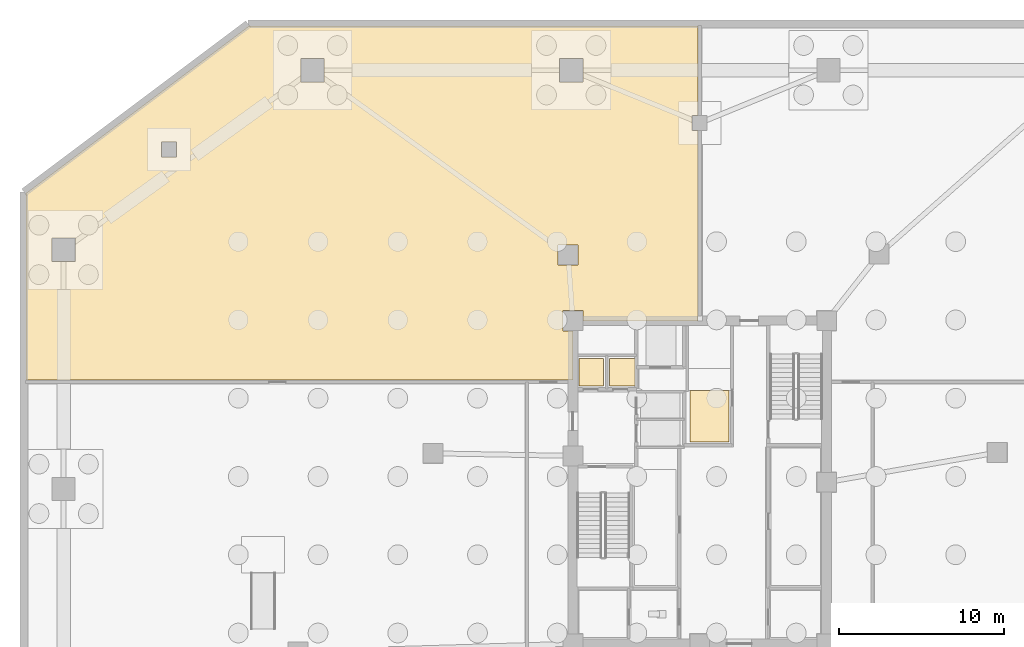
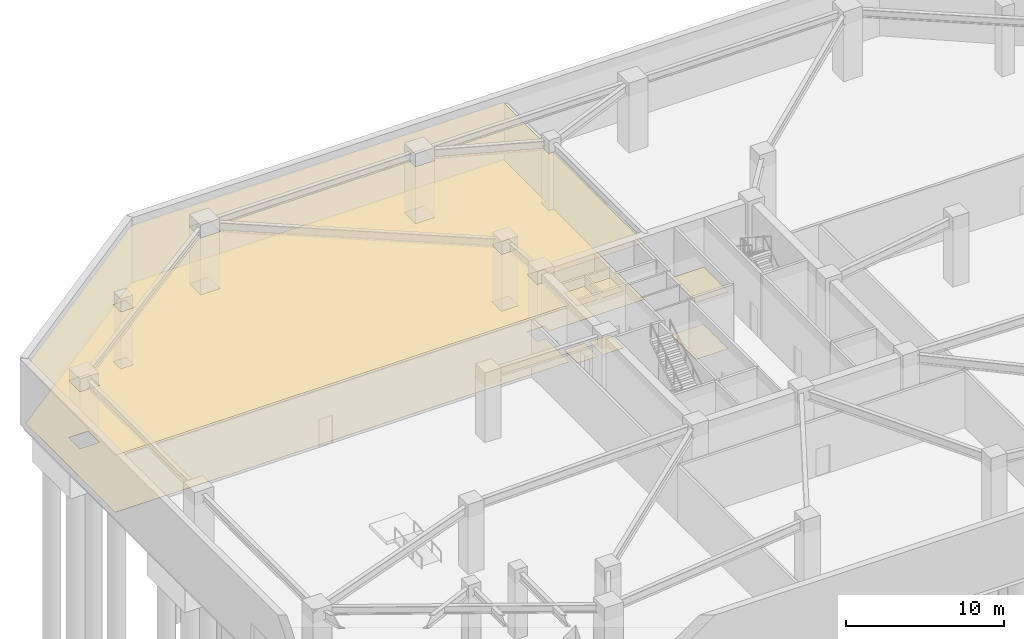
# One storey, part 8 of 12: 8 coverings.
"""IFC4 building model written with IfcOpenShell, lengths in metres."""

from ifc_helpers import new_model, si_unit, direction, frame, origin, place, context, subcontext, project, spatial, polyline, outline, extrude, material, layer, layer_set, type_object, element, save


model = new_model("IFC4")

# Units and contexts
model_context = context("Model", 3, precision=1e-05, world=origin(), true_north=direction((0.0, 1.0)))
body_context = subcontext(model_context, "Body", "Model", "MODEL_VIEW")
ifc_project = project(units=[si_unit("LENGTHUNIT", "METRE"), si_unit("AREAUNIT", "SQUARE_METRE"), si_unit("VOLUMEUNIT", "CUBIC_METRE"), si_unit("PLANEANGLEUNIT", "RADIAN"), si_unit("MASSUNIT", "GRAM", prefix="KILO")], contexts=[model_context])

# Site, building, storey
site_placement = place(None, origin())
site = spatial("IfcSite", under=ifc_project, at=site_placement, CompositionType="ELEMENT")
building_placement = place(site_placement, origin())
building = spatial("IfcBuilding", under=site, at=building_placement, Name="Savorim Split Tower", CompositionType="ELEMENT")
storey_placement = place(building_placement, frame((0.0, 0.0, -5.39990234375)))
storey = spatial("IfcBuildingStorey", under=building, at=storey_placement, Name="B01", CompositionType="ELEMENT", Elevation=-5.39990234375)

# Coverings
ifc_material_1 = material(Name="Mineral Fibre Acoustic Ceiling")
ifc_layer_1 = layer(ifc_material_1, 0.02490234375)
ifc_layer_set_1 = layer_set([ifc_layer_1], Name="COV-CEIL-25")
covering_type_1 = type_object("IfcCoveringType", Name="COV-CEIL-25", PredefinedType="CEILING", material=ifc_layer_set_1)
covering_1_placement = place(storey_placement, frame((0.0, 0.0, 4.39990234375)))
element("IfcCovering", 1, at=covering_1_placement, inside=storey, type_object=covering_type_1, Name="B01 Electrical Riser Acoustic Ceiling", PredefinedType="CEILING", context=body_context, shape_type="SweptSolid", body=[
    extrude(outline(polyline([(-7.320068359375, 7.919921875), (-7.320068359375, 6.22998046875), (-5.830078125, 6.22998046875), (-5.830078125, 7.919921875), (-7.320068359375, 7.919921875)])), origin(), (0.0, 0.0, 1.0), 0.02490234375),
])
covering_2_placement = place(storey_placement, frame((0.0, 0.0, 4.39990234375)))
element("IfcCovering", 2, at=covering_2_placement, inside=storey, type_object=covering_type_1, Name="B01 Telecom Riser Acoustic Ceiling", PredefinedType="CEILING", context=body_context, shape_type="SweptSolid", body=[
    extrude(outline(polyline([(-5.469970703125, 7.919921875), (-5.469970703125, 6.22998046875), (-3.929931640625, 6.22998046875), (-3.929931640625, 7.919921875), (-5.469970703125, 7.919921875)])), origin(), (0.0, 0.0, 1.0), 0.02490234375),
])
covering_3_placement = place(storey_placement, frame((0.0, 0.0, 4.39990234375)))
element("IfcCovering", 3, at=covering_3_placement, inside=storey, type_object=covering_type_1, Name="B01 Basement BMS Plant Room Acoustic Ceiling", PredefinedType="CEILING", context=body_context, shape_type="SweptSolid", body=[
    extrude(outline(polyline([(1.77001953125, 5.969970703125), (-0.60009765625, 5.969970703125), (-0.60009765625, 2.830078125), (1.77001953125, 2.830078125), (1.77001953125, 5.969970703125)])), origin(), (0.0, 0.0, 1.0), 0.02490234375),
])
covering_4_placement = place(storey_placement, frame((0.0, 0.0, 4.39990234375)))
element("IfcCovering", 4, at=covering_4_placement, inside=storey, type_object=covering_type_1, Name="B01 Booster Pump Plant Room Acoustic Ceiling", PredefinedType="CEILING", context=body_context, shape_type="SweptSolid", body=[
    extrude(outline(polyline([(-0.1201171875, 28.080078125), (-27.360107421875, 28.080078125), (-40.8798828125, 17.93994140625), (-40.8798828125, 6.60009765625), (-7.699951171875, 6.60009765625), (-7.699951171875, 9.590087890625), (-8.31005859375, 9.590087890625), (-8.31005859375, 10.81005859375), (-7.090087890625, 10.81005859375), (-7.090087890625, 10.199951171875), (-0.1201171875, 10.199951171875), (-0.1201171875, 21.739990234375), (-0.4599609375, 21.739990234375), (-0.4599609375, 22.659912109375), (-0.1201171875, 22.659912109375), (-0.1201171875, 28.080078125)]), holes=[polyline([(-7.090087890625, 24.68994140625), (-7.090087890625, 26.110107421875), (-8.510009765625, 26.110107421875), (-8.510009765625, 24.68994140625), (-7.090087890625, 24.68994140625)]), polyline([(-22.7900390625, 26.110107421875), (-24.2099609375, 26.110107421875), (-24.2099609375, 24.68994140625), (-22.7900390625, 24.68994140625), (-22.7900390625, 26.110107421875)]), polyline([(-37.889892578125, 15.2099609375), (-39.31005859375, 15.2099609375), (-39.31005859375, 13.7900390625), (-37.889892578125, 13.7900390625), (-37.889892578125, 15.2099609375)]), polyline([(-8.6025390625, 13.591796875), (-7.382568359375, 13.591796875), (-7.382568359375, 14.811767578125), (-8.6025390625, 14.811767578125), (-8.6025390625, 13.591796875)]), polyline([(-31.739990234375, 20.139892578125), (-31.739990234375, 21.06005859375), (-32.659912109375, 21.06005859375), (-32.659912109375, 20.139892578125), (-31.739990234375, 20.139892578125)])]), origin(), (0.0, 0.0, 1.0), 0.02490234375),
])
ifc_material_2 = material(Name="Porcelain Stoneware Flooring", Category="masonry")
ifc_layer_2 = layer(ifc_material_2, 0.02001953125)
ifc_layer_set_2 = layer_set([ifc_layer_2], Name="COV-FLOR-20")
covering_type_2 = type_object("IfcCoveringType", Name="COV-FLOR-20", PredefinedType="FLOORING", material=ifc_layer_set_2)
covering_5_placement = place(storey_placement, origin())
element("IfcCovering", 5, at=covering_5_placement, inside=storey, type_object=covering_type_2, Name="B01 Electrical Riser Porcelain Flooring", PredefinedType="FLOORING", context=body_context, shape_type="SweptSolid", body=[
    extrude(outline(polyline([(-7.320068359375, 7.919921875), (-7.320068359375, 6.22998046875), (-5.830078125, 6.22998046875), (-5.830078125, 7.919921875), (-7.320068359375, 7.919921875)])), origin(), (0.0, 0.0, 1.0), 0.02001953125),
])
covering_6_placement = place(storey_placement, origin())
element("IfcCovering", 6, at=covering_6_placement, inside=storey, type_object=covering_type_2, Name="B01 Telecom Riser Porcelain Flooring", PredefinedType="FLOORING", context=body_context, shape_type="SweptSolid", body=[
    extrude(outline(polyline([(-5.469970703125, 7.919921875), (-5.469970703125, 6.22998046875), (-3.929931640625, 6.22998046875), (-3.929931640625, 7.919921875), (-5.469970703125, 7.919921875)])), origin(), (0.0, 0.0, 1.0), 0.02001953125),
])
covering_7_placement = place(storey_placement, origin())
element("IfcCovering", 7, at=covering_7_placement, inside=storey, type_object=covering_type_2, Name="B01 Basement BMS Plant Room Porcelain Flooring", PredefinedType="FLOORING", context=body_context, shape_type="SweptSolid", body=[
    extrude(outline(polyline([(1.77001953125, 5.969970703125), (-0.60009765625, 5.969970703125), (-0.60009765625, 2.830078125), (1.77001953125, 2.830078125), (1.77001953125, 5.969970703125)])), origin(), (0.0, 0.0, 1.0), 0.02001953125),
])
covering_8_placement = place(storey_placement, origin())
element("IfcCovering", 8, at=covering_8_placement, inside=storey, type_object=covering_type_2, Name="B01 Booster Pump Plant Room Porcelain Flooring", PredefinedType="FLOORING", context=body_context, shape_type="SweptSolid", body=[
    extrude(outline(polyline([(-0.1201171875, 28.080078125), (-27.360107421875, 28.080078125), (-40.8798828125, 17.93994140625), (-40.8798828125, 6.60009765625), (-7.699951171875, 6.60009765625), (-7.699951171875, 9.590087890625), (-8.31005859375, 9.590087890625), (-8.31005859375, 10.81005859375), (-7.090087890625, 10.81005859375), (-7.090087890625, 10.199951171875), (-0.1201171875, 10.199951171875), (-0.1201171875, 21.739990234375), (-0.4599609375, 21.739990234375), (-0.4599609375, 22.659912109375), (-0.1201171875, 22.659912109375), (-0.1201171875, 28.080078125)]), holes=[polyline([(-7.090087890625, 24.68994140625), (-7.090087890625, 26.110107421875), (-8.510009765625, 26.110107421875), (-8.510009765625, 24.68994140625), (-7.090087890625, 24.68994140625)]), polyline([(-22.7900390625, 26.110107421875), (-24.2099609375, 26.110107421875), (-24.2099609375, 24.68994140625), (-22.7900390625, 24.68994140625), (-22.7900390625, 26.110107421875)]), polyline([(-37.889892578125, 15.2099609375), (-39.31005859375, 15.2099609375), (-39.31005859375, 13.7900390625), (-37.889892578125, 13.7900390625), (-37.889892578125, 15.2099609375)]), polyline([(-8.6025390625, 13.591796875), (-7.382568359375, 13.591796875), (-7.382568359375, 14.811767578125), (-8.6025390625, 14.811767578125), (-8.6025390625, 13.591796875)]), polyline([(-31.739990234375, 20.139892578125), (-31.739990234375, 21.06005859375), (-32.659912109375, 21.06005859375), (-32.659912109375, 20.139892578125), (-31.739990234375, 20.139892578125)])]), origin(), (0.0, 0.0, 1.0), 0.02001953125),
])

save(model, "model.ifc")
